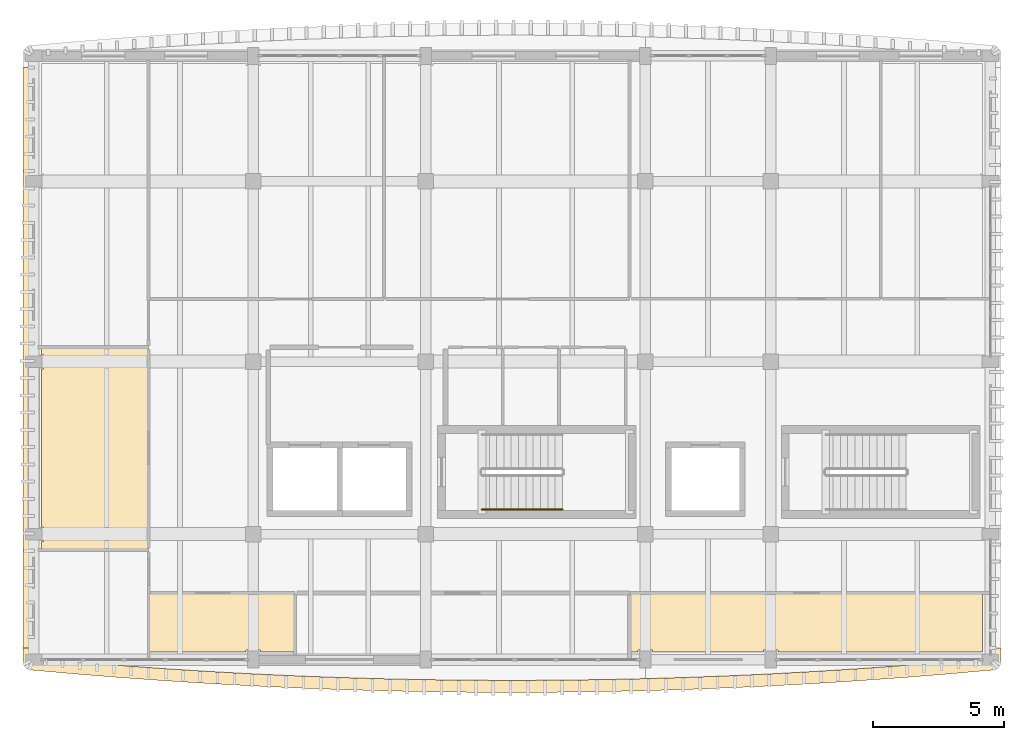
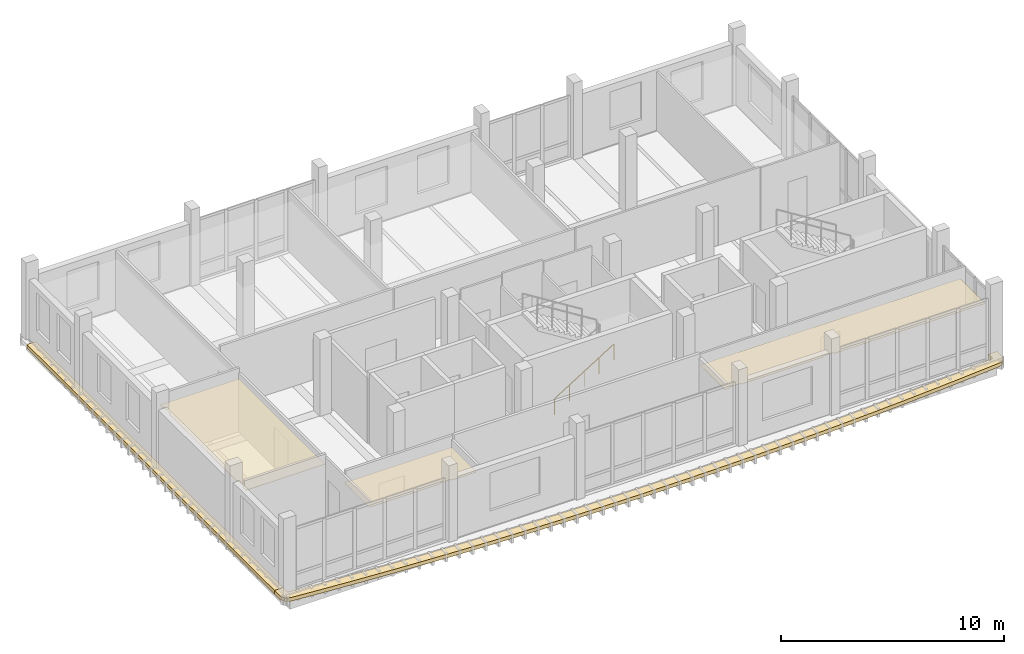
# One storey, part 10 of 16: 5 coverings, 1 railing.
"""IFC4 building model written with IfcOpenShell, lengths in metres."""

import ifcopenshell
import ifcopenshell.guid

model = None  # the IFC model being written
_history = None  # IfcOwnerHistory: only IFC2X3 demands one
_inside = {}  # id of a spatial element -> (the spatial element, [elements in it])
_under = {}  # id of a project, library or spatial element -> (it, [spatial elements below it])
_declared = {}  # id of a project -> (the project, [libraries it declares])
_typed = {}  # id of a type object -> (the type object, [elements of that type])
_made_of = {}  # id of a material, layer set ... -> (it, [elements and type objects made of it])


def new_model(schema):
    """Start an empty IFC model of exactly this schema.

    Asked for "IFC4X3", IfcOpenShell would pick the latest addendum, in which some entities
    have other attributes; the version numbers below select the first issue.
    IFC2X3 requires an IfcOwnerHistory on every rooted entity: one is made here for all.
    """
    global model, _history
    if schema == "IFC4X3":
        model = ifcopenshell.file(schema_version=(4, 3, 0, 0))
    else:
        model = ifcopenshell.file(schema=schema)
    _inside.clear()
    _under.clear()
    _declared.clear()
    _typed.clear()
    _made_of.clear()
    _history = None
    if model.schema == "IFC2X3":
        org = make("IfcOrganization", Name="unknown")
        user = make(
            "IfcPersonAndOrganization",
            ThePerson=make("IfcPerson", FamilyName="unknown"),
            TheOrganization=org,
        )
        app = make(
            "IfcApplication",
            ApplicationDeveloper=org,
            Version="unknown",
            ApplicationFullName="unknown",
            ApplicationIdentifier="unknown",
        )
        _history = make(
            "IfcOwnerHistory",
            OwningUser=user,
            OwningApplication=app,
            ChangeAction="ADDED",
            CreationDate=0,
        )
    return model


def make(cls, **values):
    """One entity of the class cls with the attributes given. An attribute that is None is left unset."""
    return model.create_entity(
        cls, **{name: value for name, value in values.items() if value is not None}
    )


def rooted(cls, **values):
    """An entity with a GlobalId (a new one), such as an element, a storey or a relation."""
    return make(cls, GlobalId=ifcopenshell.guid.new(), OwnerHistory=_history, **values)


def si_unit(unit_type, name, prefix=None):
    """IfcSIUnit, for example si_unit("LENGTHUNIT", "METRE", prefix="MILLI")."""
    return make("IfcSIUnit", UnitType=unit_type, Prefix=prefix, Name=name)


def assignment(units):
    """IfcUnitAssignment: the units of a project."""
    return None if units is None else make("IfcUnitAssignment", Units=units)


def point(xyz):
    """IfcCartesianPoint."""
    return None if xyz is None else make("IfcCartesianPoint", Coordinates=xyz)


def direction(xyz):
    """IfcDirection."""
    return None if xyz is None else make("IfcDirection", DirectionRatios=xyz)


def frame(location, z_axis=None, x_axis=None):
    """IfcAxis2Placement3D, a coordinate frame: its origin and axes. An axis left out is left unset."""
    return make(
        "IfcAxis2Placement3D",
        Location=point(location),
        Axis=direction(z_axis),
        RefDirection=direction(x_axis),
    )


def frame_2d(location, x_axis=None):
    """IfcAxis2Placement2D, a coordinate frame in the plane: its origin and x axis."""
    return make(
        "IfcAxis2Placement2D", Location=point(location), RefDirection=direction(x_axis)
    )


def origin():
    """The frame at (0, 0, 0) with its axes left unset."""
    return frame((0.0, 0.0, 0.0))


def origin_2d():
    """The frame at (0, 0) in the plane with its x axis left unset."""
    return frame_2d((0.0, 0.0))


def place(relative_to, where):
    """IfcLocalPlacement: puts the frame where relative to a parent placement (None: the world)."""
    return make(
        "IfcLocalPlacement", PlacementRelTo=relative_to, RelativePlacement=where
    )


def context(
    kind, dimensions, precision=None, world=None, true_north=None, identifier=None
):
    """IfcGeometricRepresentationContext, for example the 3D "Model" context."""
    return make(
        "IfcGeometricRepresentationContext",
        ContextIdentifier=identifier,
        ContextType=kind,
        CoordinateSpaceDimension=dimensions,
        Precision=precision,
        WorldCoordinateSystem=world,
        TrueNorth=true_north,
    )


def subcontext(parent, identifier, kind, view, scale=None):
    """IfcGeometricRepresentationSubContext, for example "Body" below "Model"."""
    return make(
        "IfcGeometricRepresentationSubContext",
        ContextIdentifier=identifier,
        ContextType=kind,
        ParentContext=parent,
        TargetScale=scale,
        TargetView=view,
    )


def project(units=None, contexts=None):
    """IfcProject with its units and contexts."""
    return rooted(
        "IfcProject",
        Name="project",
        RepresentationContexts=contexts,
        UnitsInContext=assignment(units),
    )


def spatial(cls, under=None, at=None, **own):
    """A site, building, storey or space (cls), placed at a placement, below another one or the project."""
    s = rooted(cls, ObjectPlacement=at, **own)
    if under is not None:
        _under.setdefault(under.id(), (under, []))[1].append(s)
    return s


def polyline(points):
    """IfcPolyline through the points."""
    return make("IfcPolyline", Points=[point(p) for p in points])


def profile(cls, at=None, kind="AREA", **sizes):
    """A parametric profile (cls). Its sizes go by their IFC names, for example OverallWidth=200.0."""
    return make(cls, ProfileType=kind, Position=at, **sizes)


def circle(**sizes):
    """IfcCircleProfileDef."""
    return profile("IfcCircleProfileDef", **sizes)


def outline(outer, holes=None, kind="AREA"):
    """IfcArbitraryClosedProfileDef: a profile drawn as a closed curve; with holes, ...WithVoids."""
    if holes is None:
        return make("IfcArbitraryClosedProfileDef", ProfileType=kind, OuterCurve=outer)
    return make(
        "IfcArbitraryProfileDefWithVoids",
        ProfileType=kind,
        OuterCurve=outer,
        InnerCurves=holes,
    )


def extrude(swept, where, along, depth):
    """IfcExtrudedAreaSolid: the profile swept, set in the frame where, extruded along a direction by depth."""
    return make(
        "IfcExtrudedAreaSolid",
        SweptArea=swept,
        Position=where,
        ExtrudedDirection=direction(along),
        Depth=depth,
    )


def shape(context_of_items, identifier, shape_type, items):
    """IfcShapeRepresentation: the items that make up one representation, for example the "Body"."""
    return make(
        "IfcShapeRepresentation",
        ContextOfItems=context_of_items,
        RepresentationIdentifier=identifier,
        RepresentationType=shape_type,
        Items=items,
    )


def material(Name=None, Category=None):
    """IfcMaterial."""
    return make("IfcMaterial", Name=Name, Category=Category)


def layer(
    of_material, thickness, ventilated=None, Name=None, Category=None, Priority=None
):
    """IfcMaterialLayer: one layer of a wall or slab, of a material (None: an air gap)."""
    return make(
        "IfcMaterialLayer",
        Material=of_material,
        LayerThickness=thickness,
        IsVentilated=ventilated,
        Name=Name,
        Category=Category,
        Priority=Priority,
    )


def layer_set(layers, Name=None):
    """IfcMaterialLayerSet."""
    return make("IfcMaterialLayerSet", MaterialLayers=layers, LayerSetName=Name)


def made_of(thing, what):
    """Note that an element or type object is made of a material, layer set ...; save() writes the relation."""
    if what is not None:
        _made_of.setdefault(what.id(), (what, []))[1].append(thing)
    return thing


def type_object(cls, material=None, **own):
    """A type object (cls), such as IfcWallType, which elements share."""
    return made_of(rooted(cls, **own), material)


def element(
    cls,
    number,
    at=None,
    inside=None,
    cuts=None,
    type_object=None,
    material=None,
    context=None,
    identifier="Body",
    shape_type=None,
    held_by="IfcProductDefinitionShape",
    body=None,
    shapes=None,
    **own,
):
    """One element of the class cls, such as IfcWall. Its Tag is "e" and its number.

    at: its placement. inside: the storey or other place that contains it. cuts: it is an
    opening in that element (IfcRelVoidsElement). A single representation is given by context,
    identifier, shape_type and body (its items); several are given by shapes. held_by: the class
    of the entity that holds the representations. save() writes the other relations.
    """
    e = rooted(cls, Tag="e%d" % number, ObjectPlacement=at, **own)
    if body is not None:
        shapes = [shape(context, identifier, shape_type, body)]
    if shapes is not None:
        e.Representation = make(held_by, Representations=shapes)
    if inside is not None:
        _inside.setdefault(inside.id(), (inside, []))[1].append(e)
    if cuts is not None:
        rooted(
            "IfcRelVoidsElement", RelatingBuildingElement=cuts, RelatedOpeningElement=e
        )
    if type_object is not None:
        _typed.setdefault(type_object.id(), (type_object, []))[1].append(e)
    return made_of(e, material)


def aggregate(whole, parts):
    """IfcRelAggregates: a whole, such as a stair, and the parts it consists of."""
    return rooted("IfcRelAggregates", RelatingObject=whole, RelatedObjects=parts)


def save(model, path):
    """Write the relations noted so far, then the file.

    IfcRelAggregates (storeys below a building ...), IfcRelContainedInSpatialStructure (elements
    in a storey), IfcRelDefinesByType, IfcRelAssociatesMaterial and IfcRelDeclares: one each for
    every whole, place, type object, material and project.
    """
    for whole, parts in _under.values():
        aggregate(whole, parts)
    for where, things in _inside.values():
        rooted(
            "IfcRelContainedInSpatialStructure",
            RelatedElements=things,
            RelatingStructure=where,
        )
    for kind, things in _typed.values():
        rooted("IfcRelDefinesByType", RelatedObjects=things, RelatingType=kind)
    for what, things in _made_of.values():
        rooted("IfcRelAssociatesMaterial", RelatedObjects=things, RelatingMaterial=what)
    for by, libraries in _declared.values():
        rooted("IfcRelDeclares", RelatingContext=by, RelatedDefinitions=libraries)
    model.write(path)


model = new_model("IFC4")

# Units and contexts
model_context = context("Model", 3, precision=1e-05, world=origin(), true_north=direction((0.0, 1.0)))
body_context = subcontext(model_context, "Body", "Model", "MODEL_VIEW")
ifc_project = project(units=[si_unit("LENGTHUNIT", "METRE"), si_unit("AREAUNIT", "SQUARE_METRE"), si_unit("VOLUMEUNIT", "CUBIC_METRE"), si_unit("PLANEANGLEUNIT", "RADIAN"), si_unit("MASSUNIT", "GRAM", prefix="KILO")], contexts=[model_context])

# Site, building, storey
site_placement = place(None, origin())
site = spatial("IfcSite", under=ifc_project, at=site_placement, CompositionType="ELEMENT")
building_placement = place(site_placement, origin())
building = spatial("IfcBuilding", under=site, at=building_placement, Name="Dornvale Research Institute", CompositionType="ELEMENT")
storey_placement = place(building_placement, frame((0.0, 0.0, 38.39990234375)))
storey = spatial("IfcBuildingStorey", under=building, at=storey_placement, Name="L08", CompositionType="ELEMENT", Elevation=38.39990234375)

# Coverings
ifc_material_1 = material(Name="Mineral-Fibre Acoustic Lay-In Ceiling Tile System")
ifc_layer_1 = layer(ifc_material_1, 0.02001953125)
ifc_layer_set_1 = layer_set([ifc_layer_1], Name="Mineral-Fibre Acoustic Lay-In Ceiling Tile System")
covering_type_1 = type_object("IfcCoveringType", Name="Covering_Acoustic_Ceiling", PredefinedType="CEILING", material=ifc_layer_set_1)
covering_1_placement = place(storey_placement, frame((0.0, 0.0, 2.85009765625)))
element("IfcCovering", 1, at=covering_1_placement, inside=storey, type_object=covering_type_1, Name="L08 Biophysics Laser Bench Room L08 suspended ceiling", PredefinedType="CEILING", context=body_context, shape_type="SweptSolid", body=[
    extrude(outline(polyline([(5.175048828125, 104.074951171875), (5.10009765625, 104.074951171875), (5.10009765625, 110.125), (5.175048828125, 110.125), (5.175048828125, 110.675048828125), (5.10009765625, 110.675048828125), (5.10009765625, 110.929931640625), (9.179931640625, 110.929931640625), (9.179931640625, 103.219970703125), (5.10009765625, 103.219970703125), (5.10009765625, 103.52490234375), (5.175048828125, 103.52490234375), (5.175048828125, 104.074951171875)])), origin(), (0.0, 0.0, 1.0), 0.02001953125),
])
covering_2_placement = place(storey_placement, frame((0.0, 0.0, 2.85009765625)))
element("IfcCovering", 2, at=covering_2_placement, inside=storey, type_object=covering_type_1, Name="L08 Evolutionary Dynamics Computational Lab suspended ceiling", PredefinedType="CEILING", context=body_context, shape_type="SweptSolid", body=[
    extrude(outline(polyline([(14.780029296875, 99.300048828125), (13.47509765625, 99.300048828125), (13.47509765625, 99.375), (12.925048828125, 99.375), (12.925048828125, 99.300048828125), (9.219970703125, 99.300048828125), (9.219970703125, 101.530029296875), (14.780029296875, 101.530029296875), (14.780029296875, 99.300048828125)])), origin(), (0.0, 0.0, 1.0), 0.02001953125),
])
covering_3_placement = place(storey_placement, frame((0.0, 0.0, 2.85009765625)))
element("IfcCovering", 3, at=covering_3_placement, inside=storey, type_object=covering_type_1, Name="L08 Faculty Office Suite L08-S suspended ceiling", PredefinedType="CEILING", context=body_context, shape_type="SweptSolid", body=[
    extrude(outline(polyline([(32.72509765625, 99.300048828125), (28.47509765625, 99.300048828125), (28.47509765625, 99.375), (27.925048828125, 99.375), (27.925048828125, 99.300048828125), (27.6201171875, 99.300048828125), (27.6201171875, 101.530029296875), (41.10009765625, 101.530029296875), (41.10009765625, 99.300048828125), (33.27490234375, 99.300048828125), (33.27490234375, 99.375), (32.72509765625, 99.375), (32.72509765625, 99.300048828125)])), origin(), (0.0, 0.0, 1.0), 0.02001953125),
])
ifc_material_2 = material(Name="Polychrome Glazed Terracotta Visor Rib Ceramic", Category="masonry")
ifc_layer_2 = layer(ifc_material_2, 0.199951171875)
ifc_layer_set_2 = layer_set([ifc_layer_2], Name="Polychrome Glazed Terracotta Visor Rib Ceramic")
covering_type_2 = type_object("IfcCoveringType", Name="Covering_VisorBrim_Shelf", PredefinedType="CLADDING", material=ifc_layer_set_2)
covering_4_placement = place(storey_placement, frame((0.0, 0.0, -0.27978515625)))
element("IfcCovering", 4, at=covering_4_placement, inside=storey, type_object=covering_type_2, Name="L08 V5 canted bowed-brim visor hood #32", PredefinedType="CLADDING", context=body_context, shape_type="SweptSolid", body=[
    extrude(outline(polyline([(41.80322265625, 99.0), (41.77587890625, 98.85400390625), (41.697509765625, 98.727783203125), (41.57861328125, 98.638427734375), (41.435546875, 98.598388671875), (39.77197265625, 98.450927734375), (39.768798828125, 98.45068359375), (38.10498046875, 98.317138671875), (38.1015625, 98.31689453125), (36.43798828125, 98.197509765625), (36.4345703125, 98.197265625), (34.77099609375, 98.091796875), (34.767578125, 98.091552734375), (33.10400390625, 98.000244140625), (33.1005859375, 98.0), (31.43701171875, 97.9228515625), (31.43359375, 97.922607421875), (29.769775390625, 97.859619140625), (29.766357421875, 97.859375), (28.102783203125, 97.810302734375), (28.099365234375, 97.81005859375), (26.435791015625, 97.77490234375), (26.432373046875, 97.77490234375), (24.768798828125, 97.75390625), (24.765380859375, 97.75390625), (23.101806640625, 97.746826171875), (23.098388671875, 97.746826171875), (21.434814453125, 97.75390625), (21.431396484375, 97.75390625), (19.767578125, 97.77490234375), (19.76416015625, 97.77490234375), (18.1005859375, 97.81005859375), (18.09716796875, 97.810302734375), (16.43359375, 97.859375), (16.43017578125, 97.859619140625), (14.7666015625, 97.922607421875), (14.76318359375, 97.9228515625), (13.099609375, 98.0), (13.09619140625, 98.000244140625), (11.432373046875, 98.091552734375), (11.428955078125, 98.091796875), (9.765380859375, 98.197265625), (9.761962890625, 98.197509765625), (8.098388671875, 98.31689453125), (8.094970703125, 98.317138671875), (6.431396484375, 98.45068359375), (6.427978515625, 98.450927734375), (4.764404296875, 98.598388671875), (4.621337890625, 98.638427734375), (4.502685546875, 98.727783203125), (4.42431640625, 98.85400390625), (4.396728515625, 99.0), (4.396728515625, 99.449951171875), (4.860107421875, 99.449951171875), (4.860107421875, 99.054931640625), (6.468505859375, 98.912353515625), (8.1318359375, 98.77880859375), (9.794921875, 98.659423828125), (11.4580078125, 98.55419921875), (13.12109375, 98.462890625), (14.7841796875, 98.385498046875), (16.447509765625, 98.322509765625), (18.110595703125, 98.273193359375), (19.773681640625, 98.238037109375), (21.43701171875, 98.217041015625), (23.10009765625, 98.2099609375), (24.76318359375, 98.217041015625), (26.42626953125, 98.238037109375), (28.08935546875, 98.273193359375), (29.75244140625, 98.322509765625), (31.415771484375, 98.385498046875), (33.078857421875, 98.462890625), (34.741943359375, 98.55419921875), (36.405029296875, 98.659423828125), (38.068115234375, 98.77880859375), (39.7314453125, 98.912353515625), (41.340087890625, 99.054931640625), (41.340087890625, 99.449951171875), (41.80322265625, 99.449951171875), (41.80322265625, 99.0)])), origin(), (0.0, 0.0, 1.0), 0.199951171875),
])
covering_5_placement = place(storey_placement, frame((0.0, 0.0, -0.27978515625)))
element("IfcCovering", 5, at=covering_5_placement, inside=storey, type_object=covering_type_2, Name="L08 V5 canted bowed-brim visor hood #34", PredefinedType="CLADDING", context=body_context, shape_type="SweptSolid", body=[
    extrude(outline(polyline([(4.396728515625, 121.64990234375), (4.860107421875, 121.64990234375), (4.860107421875, 99.449951171875), (4.396728515625, 99.449951171875), (4.396728515625, 121.64990234375)])), origin(), (0.0, 0.0, 1.0), 0.199951171875),
])

# Railing
ifc_material_3 = material(Name="Galvanized Painted Tubular Steel Stair Rail", Category="steel")
ifc_layer_3 = layer(ifc_material_3, 0.044921875)
ifc_layer_set_3 = layer_set([ifc_layer_3], Name="Galvanized Painted Tubular Steel Stair Rail")
railing_type = type_object("IfcRailingType", Name="Railing_Stair_Handrail_900", PredefinedType="HANDRAIL", material=ifc_layer_set_3)
railing_placement = place(storey_placement, frame((21.949951171875, 104.75, 0.175048828125)))
element("IfcRailing", 6, at=railing_placement, inside=storey, type_object=railing_type, Name="L08 ST-1 stair handrail 1", PredefinedType="HANDRAIL", context=body_context, shape_type="SweptSolid", body=[
    extrude(circle(Radius=0.02392578125, at=origin_2d()), frame((0.0, 0.0, 0.8759765625), z_axis=(0.847998304005, 0.0, 0.529998940003), x_axis=(0.0, 1.0, 0.0)), (0.0, 0.0, 1.0), 3.632080078125),
    extrude(circle(Radius=0.02099609375, at=origin_2d()), origin(), (0.0, 0.0, 1.0), 0.851806640625),
    extrude(circle(Radius=0.02099609375, at=origin_2d()), frame((0.77001953125, 0.0, 0.481201171875)), (0.0, 0.0, 1.0), 0.851806640625),
    extrude(circle(Radius=0.02099609375, at=origin_2d()), frame((1.5400390625, 0.0, 0.96240234375)), (0.0, 0.0, 1.0), 0.851806640625),
    extrude(circle(Radius=0.02099609375, at=origin_2d()), frame((2.31005859375, 0.0, 1.44384765625)), (0.0, 0.0, 1.0), 0.851806640625),
    extrude(circle(Radius=0.02099609375, at=origin_2d()), frame((3.080078125, 0.0, 1.925048828125)), (0.0, 0.0, 1.0), 0.851806640625),
])

save(model, "model.ifc")
